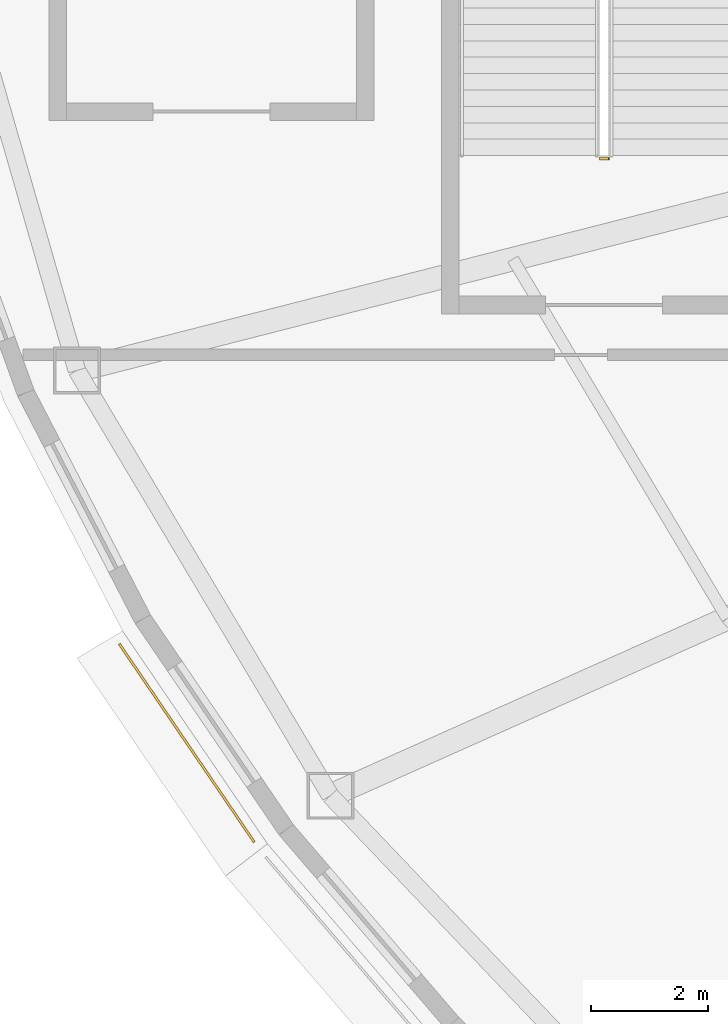
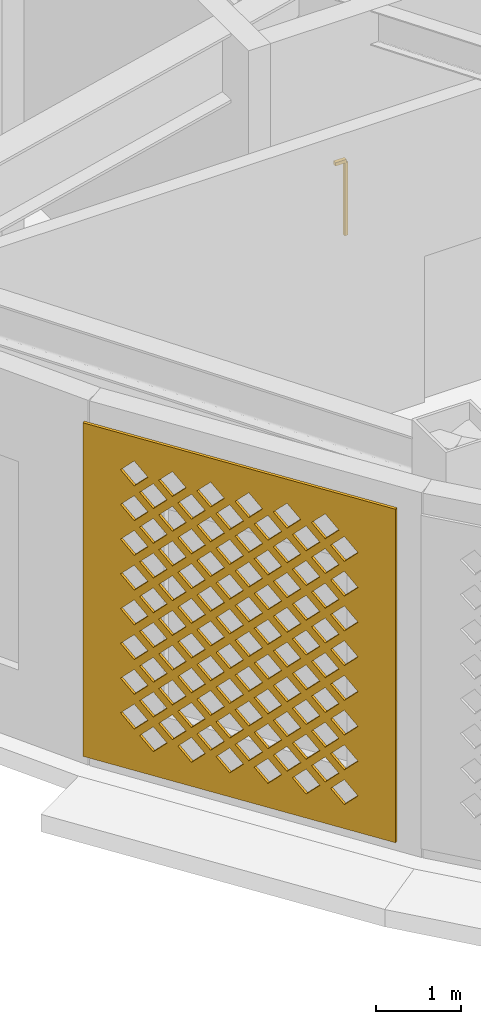
# One storey, part 37 of 69: 1 covering, 1 railing.
"""IFC4 building model written with IfcOpenShell, lengths in metres."""

import ifcopenshell
import ifcopenshell.guid

model = None  # the IFC model being written
_history = None  # IfcOwnerHistory: only IFC2X3 demands one
_inside = {}  # id of a spatial element -> (the spatial element, [elements in it])
_under = {}  # id of a project, library or spatial element -> (it, [spatial elements below it])
_declared = {}  # id of a project -> (the project, [libraries it declares])
_typed = {}  # id of a type object -> (the type object, [elements of that type])
_made_of = {}  # id of a material, layer set ... -> (it, [elements and type objects made of it])


def new_model(schema):
    """Start an empty IFC model of exactly this schema.

    Asked for "IFC4X3", IfcOpenShell would pick the latest addendum, in which some entities
    have other attributes; the version numbers below select the first issue.
    IFC2X3 requires an IfcOwnerHistory on every rooted entity: one is made here for all.
    """
    global model, _history
    if schema == "IFC4X3":
        model = ifcopenshell.file(schema_version=(4, 3, 0, 0))
    else:
        model = ifcopenshell.file(schema=schema)
    _inside.clear()
    _under.clear()
    _declared.clear()
    _typed.clear()
    _made_of.clear()
    _history = None
    if model.schema == "IFC2X3":
        org = make("IfcOrganization", Name="unknown")
        user = make(
            "IfcPersonAndOrganization",
            ThePerson=make("IfcPerson", FamilyName="unknown"),
            TheOrganization=org,
        )
        app = make(
            "IfcApplication",
            ApplicationDeveloper=org,
            Version="unknown",
            ApplicationFullName="unknown",
            ApplicationIdentifier="unknown",
        )
        _history = make(
            "IfcOwnerHistory",
            OwningUser=user,
            OwningApplication=app,
            ChangeAction="ADDED",
            CreationDate=0,
        )
    return model


def make(cls, **values):
    """One entity of the class cls with the attributes given. An attribute that is None is left unset."""
    return model.create_entity(
        cls, **{name: value for name, value in values.items() if value is not None}
    )


def rooted(cls, **values):
    """An entity with a GlobalId (a new one), such as an element, a storey or a relation."""
    return make(cls, GlobalId=ifcopenshell.guid.new(), OwnerHistory=_history, **values)


def si_unit(unit_type, name, prefix=None):
    """IfcSIUnit, for example si_unit("LENGTHUNIT", "METRE", prefix="MILLI")."""
    return make("IfcSIUnit", UnitType=unit_type, Prefix=prefix, Name=name)


def assignment(units):
    """IfcUnitAssignment: the units of a project."""
    return None if units is None else make("IfcUnitAssignment", Units=units)


def point(xyz):
    """IfcCartesianPoint."""
    return None if xyz is None else make("IfcCartesianPoint", Coordinates=xyz)


def direction(xyz):
    """IfcDirection."""
    return None if xyz is None else make("IfcDirection", DirectionRatios=xyz)


def frame(location, z_axis=None, x_axis=None):
    """IfcAxis2Placement3D, a coordinate frame: its origin and axes. An axis left out is left unset."""
    return make(
        "IfcAxis2Placement3D",
        Location=point(location),
        Axis=direction(z_axis),
        RefDirection=direction(x_axis),
    )


def frame_2d(location, x_axis=None):
    """IfcAxis2Placement2D, a coordinate frame in the plane: its origin and x axis."""
    return make(
        "IfcAxis2Placement2D", Location=point(location), RefDirection=direction(x_axis)
    )


def origin():
    """The frame at (0, 0, 0) with its axes left unset."""
    return frame((0.0, 0.0, 0.0))


def origin_2d():
    """The frame at (0, 0) in the plane with its x axis left unset."""
    return frame_2d((0.0, 0.0))


def place(relative_to, where):
    """IfcLocalPlacement: puts the frame where relative to a parent placement (None: the world)."""
    return make(
        "IfcLocalPlacement", PlacementRelTo=relative_to, RelativePlacement=where
    )


def context(
    kind, dimensions, precision=None, world=None, true_north=None, identifier=None
):
    """IfcGeometricRepresentationContext, for example the 3D "Model" context."""
    return make(
        "IfcGeometricRepresentationContext",
        ContextIdentifier=identifier,
        ContextType=kind,
        CoordinateSpaceDimension=dimensions,
        Precision=precision,
        WorldCoordinateSystem=world,
        TrueNorth=true_north,
    )


def subcontext(parent, identifier, kind, view, scale=None):
    """IfcGeometricRepresentationSubContext, for example "Body" below "Model"."""
    return make(
        "IfcGeometricRepresentationSubContext",
        ContextIdentifier=identifier,
        ContextType=kind,
        ParentContext=parent,
        TargetScale=scale,
        TargetView=view,
    )


def project(units=None, contexts=None):
    """IfcProject with its units and contexts."""
    return rooted(
        "IfcProject",
        Name="project",
        RepresentationContexts=contexts,
        UnitsInContext=assignment(units),
    )


def spatial(cls, under=None, at=None, **own):
    """A site, building, storey or space (cls), placed at a placement, below another one or the project."""
    s = rooted(cls, ObjectPlacement=at, **own)
    if under is not None:
        _under.setdefault(under.id(), (under, []))[1].append(s)
    return s


def polyline(points):
    """IfcPolyline through the points."""
    return make("IfcPolyline", Points=[point(p) for p in points])


def profile(cls, at=None, kind="AREA", **sizes):
    """A parametric profile (cls). Its sizes go by their IFC names, for example OverallWidth=200.0."""
    return make(cls, ProfileType=kind, Position=at, **sizes)


def rectangle(**sizes):
    """IfcRectangleProfileDef."""
    return profile("IfcRectangleProfileDef", **sizes)


def outline(outer, holes=None, kind="AREA"):
    """IfcArbitraryClosedProfileDef: a profile drawn as a closed curve; with holes, ...WithVoids."""
    if holes is None:
        return make("IfcArbitraryClosedProfileDef", ProfileType=kind, OuterCurve=outer)
    return make(
        "IfcArbitraryProfileDefWithVoids",
        ProfileType=kind,
        OuterCurve=outer,
        InnerCurves=holes,
    )


def extrude(swept, where, along, depth):
    """IfcExtrudedAreaSolid: the profile swept, set in the frame where, extruded along a direction by depth."""
    return make(
        "IfcExtrudedAreaSolid",
        SweptArea=swept,
        Position=where,
        ExtrudedDirection=direction(along),
        Depth=depth,
    )


def shape(context_of_items, identifier, shape_type, items):
    """IfcShapeRepresentation: the items that make up one representation, for example the "Body"."""
    return make(
        "IfcShapeRepresentation",
        ContextOfItems=context_of_items,
        RepresentationIdentifier=identifier,
        RepresentationType=shape_type,
        Items=items,
    )


def material(Name=None, Category=None):
    """IfcMaterial."""
    return make("IfcMaterial", Name=Name, Category=Category)


def layer(
    of_material, thickness, ventilated=None, Name=None, Category=None, Priority=None
):
    """IfcMaterialLayer: one layer of a wall or slab, of a material (None: an air gap)."""
    return make(
        "IfcMaterialLayer",
        Material=of_material,
        LayerThickness=thickness,
        IsVentilated=ventilated,
        Name=Name,
        Category=Category,
        Priority=Priority,
    )


def layer_set(layers, Name=None):
    """IfcMaterialLayerSet."""
    return make("IfcMaterialLayerSet", MaterialLayers=layers, LayerSetName=Name)


def made_of(thing, what):
    """Note that an element or type object is made of a material, layer set ...; save() writes the relation."""
    if what is not None:
        _made_of.setdefault(what.id(), (what, []))[1].append(thing)
    return thing


def type_object(cls, material=None, **own):
    """A type object (cls), such as IfcWallType, which elements share."""
    return made_of(rooted(cls, **own), material)


def element(
    cls,
    number,
    at=None,
    inside=None,
    cuts=None,
    type_object=None,
    material=None,
    context=None,
    identifier="Body",
    shape_type=None,
    held_by="IfcProductDefinitionShape",
    body=None,
    shapes=None,
    **own,
):
    """One element of the class cls, such as IfcWall. Its Tag is "e" and its number.

    at: its placement. inside: the storey or other place that contains it. cuts: it is an
    opening in that element (IfcRelVoidsElement). A single representation is given by context,
    identifier, shape_type and body (its items); several are given by shapes. held_by: the class
    of the entity that holds the representations. save() writes the other relations.
    """
    e = rooted(cls, Tag="e%d" % number, ObjectPlacement=at, **own)
    if body is not None:
        shapes = [shape(context, identifier, shape_type, body)]
    if shapes is not None:
        e.Representation = make(held_by, Representations=shapes)
    if inside is not None:
        _inside.setdefault(inside.id(), (inside, []))[1].append(e)
    if cuts is not None:
        rooted(
            "IfcRelVoidsElement", RelatingBuildingElement=cuts, RelatedOpeningElement=e
        )
    if type_object is not None:
        _typed.setdefault(type_object.id(), (type_object, []))[1].append(e)
    return made_of(e, material)


def aggregate(whole, parts):
    """IfcRelAggregates: a whole, such as a stair, and the parts it consists of."""
    return rooted("IfcRelAggregates", RelatingObject=whole, RelatedObjects=parts)


def save(model, path):
    """Write the relations noted so far, then the file.

    IfcRelAggregates (storeys below a building ...), IfcRelContainedInSpatialStructure (elements
    in a storey), IfcRelDefinesByType, IfcRelAssociatesMaterial and IfcRelDeclares: one each for
    every whole, place, type object, material and project.
    """
    for whole, parts in _under.values():
        aggregate(whole, parts)
    for where, things in _inside.values():
        rooted(
            "IfcRelContainedInSpatialStructure",
            RelatedElements=things,
            RelatingStructure=where,
        )
    for kind, things in _typed.values():
        rooted("IfcRelDefinesByType", RelatedObjects=things, RelatingType=kind)
    for what, things in _made_of.values():
        rooted("IfcRelAssociatesMaterial", RelatedObjects=things, RelatingMaterial=what)
    for by, libraries in _declared.values():
        rooted("IfcRelDeclares", RelatingContext=by, RelatedDefinitions=libraries)
    model.write(path)


model = new_model("IFC4")

# Units and contexts
model_context = context("Model", 3, precision=1e-05, world=origin(), true_north=direction((0.0, 1.0)))
body_context = subcontext(model_context, "Body", "Model", "MODEL_VIEW")
ifc_project = project(units=[si_unit("LENGTHUNIT", "METRE"), si_unit("AREAUNIT", "SQUARE_METRE"), si_unit("VOLUMEUNIT", "CUBIC_METRE"), si_unit("PLANEANGLEUNIT", "RADIAN"), si_unit("MASSUNIT", "GRAM", prefix="KILO")], contexts=[model_context])

# Site, building, storey
site_placement = place(None, origin())
site = spatial("IfcSite", under=ifc_project, at=site_placement, CompositionType="ELEMENT")
building_placement = place(site_placement, origin())
building = spatial("IfcBuilding", under=site, at=building_placement, Name="Noorbagh Ring Tower", CompositionType="ELEMENT")
storey_placement = place(building_placement, frame((0.0, 0.0, 19.5)))
storey = spatial("IfcBuildingStorey", under=building, at=storey_placement, Name="L03", CompositionType="ELEMENT", Elevation=19.5)

# Railing
ifc_material_1 = material(Name="Stainless steel", Category="steel")
railing_type = type_object("IfcRailingType", Name="GND-STAIR-GUARD", PredefinedType="GUARDRAIL", material=ifc_material_1)
railing_placement = place(storey_placement, frame((-38.949951171875, -8.64990234375, 0.0)))
element("IfcRailing", 1, at=railing_placement, inside=storey, type_object=railing_type, Name="L03 ST-P1 stair guard", PredefinedType="GUARDRAIL", context=body_context, shape_type="SweptSolid", body=[
    extrude(rectangle(XDim=0.048095703125, YDim=0.048095703125, at=origin_2d()), frame((0.0, 0.0, 1.076171875), z_axis=(-1.0, 0.0, 0.0), x_axis=(0.0, -1.0, 0.0)), (0.0, 0.0, 1.0), 0.150146484375),
    extrude(rectangle(XDim=0.0419921875, YDim=0.0419921875, at=origin_2d()), origin(), (0.0, 0.0, 1.0), 1.052001953125),
])

# Covering
ifc_material_2 = material(Name="Red sandstone jali", Category="masonry")
ifc_layer = layer(ifc_material_2, 0.0400390625)
ifc_layer_set = layer_set([ifc_layer], Name="Red sandstone jali")
covering_type = type_object("IfcCoveringType", Name="STY-JALI", PredefinedType="USERDEFINED", material=ifc_layer_set)
covering_placement = place(storey_placement, frame((-47.31591796875, -16.9443359375, 0.449951171875), z_axis=(-0.826637007867, -0.562735512675, 0.0), x_axis=(0.562735512675, -0.826637007867, 0.0)))
element("IfcCovering", 2, at=covering_placement, inside=storey, type_object=covering_type, Name="Jali screen", ObjectType="SCREEN", PredefinedType="USERDEFINED", context=body_context, shape_type="SweptSolid", body=[
    extrude(outline(polyline([(0.0, 0.0), (4.095458984375, 0.0), (4.095458984375, 4.800048828125), (0.0, 4.800048828125), (0.0, 0.0)]), holes=[polyline([(0.74267578125, 0.52490234375), (0.922607421875, 0.344970703125), (1.102783203125, 0.52490234375), (0.922607421875, 0.705078125), (0.74267578125, 0.52490234375)]), polyline([(1.24267578125, 0.52490234375), (1.422607421875, 0.344970703125), (1.602783203125, 0.52490234375), (1.422607421875, 0.705078125), (1.24267578125, 0.52490234375)]), polyline([(1.74267578125, 0.52490234375), (1.922607421875, 0.344970703125), (2.102783203125, 0.52490234375), (1.922607421875, 0.705078125), (1.74267578125, 0.52490234375)]), polyline([(2.24267578125, 0.52490234375), (2.422607421875, 0.344970703125), (2.602783203125, 0.52490234375), (2.422607421875, 0.705078125), (2.24267578125, 0.52490234375)]), polyline([(2.74267578125, 0.52490234375), (2.922607421875, 0.344970703125), (3.102783203125, 0.52490234375), (2.922607421875, 0.705078125), (2.74267578125, 0.52490234375)]), polyline([(3.24267578125, 0.52490234375), (3.422607421875, 0.344970703125), (3.602783203125, 0.52490234375), (3.422607421875, 0.705078125), (3.24267578125, 0.52490234375)]), polyline([(0.49267578125, 0.77490234375), (0.672607421875, 0.594970703125), (0.852783203125, 0.77490234375), (0.672607421875, 0.955078125), (0.49267578125, 0.77490234375)]), polyline([(0.99267578125, 0.77490234375), (1.172607421875, 0.594970703125), (1.352783203125, 0.77490234375), (1.172607421875, 0.955078125), (0.99267578125, 0.77490234375)]), polyline([(1.49267578125, 0.77490234375), (1.672607421875, 0.594970703125), (1.852783203125, 0.77490234375), (1.672607421875, 0.955078125), (1.49267578125, 0.77490234375)]), polyline([(1.99267578125, 0.77490234375), (2.172607421875, 0.594970703125), (2.352783203125, 0.77490234375), (2.172607421875, 0.955078125), (1.99267578125, 0.77490234375)]), polyline([(2.49267578125, 0.77490234375), (2.672607421875, 0.594970703125), (2.852783203125, 0.77490234375), (2.672607421875, 0.955078125), (2.49267578125, 0.77490234375)]), polyline([(2.99267578125, 0.77490234375), (3.172607421875, 0.594970703125), (3.352783203125, 0.77490234375), (3.172607421875, 0.955078125), (2.99267578125, 0.77490234375)]), polyline([(0.74267578125, 1.02490234375), (0.922607421875, 0.844970703125), (1.102783203125, 1.02490234375), (0.922607421875, 1.205078125), (0.74267578125, 1.02490234375)]), polyline([(1.24267578125, 1.02490234375), (1.422607421875, 0.844970703125), (1.602783203125, 1.02490234375), (1.422607421875, 1.205078125), (1.24267578125, 1.02490234375)]), polyline([(1.74267578125, 1.02490234375), (1.922607421875, 0.844970703125), (2.102783203125, 1.02490234375), (1.922607421875, 1.205078125), (1.74267578125, 1.02490234375)]), polyline([(2.24267578125, 1.02490234375), (2.422607421875, 0.844970703125), (2.602783203125, 1.02490234375), (2.422607421875, 1.205078125), (2.24267578125, 1.02490234375)]), polyline([(2.74267578125, 1.02490234375), (2.922607421875, 0.844970703125), (3.102783203125, 1.02490234375), (2.922607421875, 1.205078125), (2.74267578125, 1.02490234375)]), polyline([(3.24267578125, 1.02490234375), (3.422607421875, 0.844970703125), (3.602783203125, 1.02490234375), (3.422607421875, 1.205078125), (3.24267578125, 1.02490234375)]), polyline([(0.49267578125, 1.27490234375), (0.672607421875, 1.094970703125), (0.852783203125, 1.27490234375), (0.672607421875, 1.455078125), (0.49267578125, 1.27490234375)]), polyline([(0.99267578125, 1.27490234375), (1.172607421875, 1.094970703125), (1.352783203125, 1.27490234375), (1.172607421875, 1.455078125), (0.99267578125, 1.27490234375)]), polyline([(1.49267578125, 1.27490234375), (1.672607421875, 1.094970703125), (1.852783203125, 1.27490234375), (1.672607421875, 1.455078125), (1.49267578125, 1.27490234375)]), polyline([(1.99267578125, 1.27490234375), (2.172607421875, 1.094970703125), (2.352783203125, 1.27490234375), (2.172607421875, 1.455078125), (1.99267578125, 1.27490234375)]), polyline([(2.49267578125, 1.27490234375), (2.672607421875, 1.094970703125), (2.852783203125, 1.27490234375), (2.672607421875, 1.455078125), (2.49267578125, 1.27490234375)]), polyline([(2.99267578125, 1.27490234375), (3.172607421875, 1.094970703125), (3.352783203125, 1.27490234375), (3.172607421875, 1.455078125), (2.99267578125, 1.27490234375)]), polyline([(0.74267578125, 1.52490234375), (0.922607421875, 1.344970703125), (1.102783203125, 1.52490234375), (0.922607421875, 1.705078125), (0.74267578125, 1.52490234375)]), polyline([(1.24267578125, 1.52490234375), (1.422607421875, 1.344970703125), (1.602783203125, 1.52490234375), (1.422607421875, 1.705078125), (1.24267578125, 1.52490234375)]), polyline([(1.74267578125, 1.52490234375), (1.922607421875, 1.344970703125), (2.102783203125, 1.52490234375), (1.922607421875, 1.705078125), (1.74267578125, 1.52490234375)]), polyline([(2.24267578125, 1.52490234375), (2.422607421875, 1.344970703125), (2.602783203125, 1.52490234375), (2.422607421875, 1.705078125), (2.24267578125, 1.52490234375)]), polyline([(2.74267578125, 1.52490234375), (2.922607421875, 1.344970703125), (3.102783203125, 1.52490234375), (2.922607421875, 1.705078125), (2.74267578125, 1.52490234375)]), polyline([(3.24267578125, 1.52490234375), (3.422607421875, 1.344970703125), (3.602783203125, 1.52490234375), (3.422607421875, 1.705078125), (3.24267578125, 1.52490234375)]), polyline([(0.49267578125, 1.77490234375), (0.672607421875, 1.594970703125), (0.852783203125, 1.77490234375), (0.672607421875, 1.955078125), (0.49267578125, 1.77490234375)]), polyline([(0.99267578125, 1.77490234375), (1.172607421875, 1.594970703125), (1.352783203125, 1.77490234375), (1.172607421875, 1.955078125), (0.99267578125, 1.77490234375)]), polyline([(1.49267578125, 1.77490234375), (1.672607421875, 1.594970703125), (1.852783203125, 1.77490234375), (1.672607421875, 1.955078125), (1.49267578125, 1.77490234375)]), polyline([(1.99267578125, 1.77490234375), (2.172607421875, 1.594970703125), (2.352783203125, 1.77490234375), (2.172607421875, 1.955078125), (1.99267578125, 1.77490234375)]), polyline([(2.49267578125, 1.77490234375), (2.672607421875, 1.594970703125), (2.852783203125, 1.77490234375), (2.672607421875, 1.955078125), (2.49267578125, 1.77490234375)]), polyline([(2.99267578125, 1.77490234375), (3.172607421875, 1.594970703125), (3.352783203125, 1.77490234375), (3.172607421875, 1.955078125), (2.99267578125, 1.77490234375)]), polyline([(0.74267578125, 2.02490234375), (0.922607421875, 1.844970703125), (1.102783203125, 2.02490234375), (0.922607421875, 2.205078125), (0.74267578125, 2.02490234375)]), polyline([(1.24267578125, 2.02490234375), (1.422607421875, 1.844970703125), (1.602783203125, 2.02490234375), (1.422607421875, 2.205078125), (1.24267578125, 2.02490234375)]), polyline([(1.74267578125, 2.02490234375), (1.922607421875, 1.844970703125), (2.102783203125, 2.02490234375), (1.922607421875, 2.205078125), (1.74267578125, 2.02490234375)]), polyline([(2.24267578125, 2.02490234375), (2.422607421875, 1.844970703125), (2.602783203125, 2.02490234375), (2.422607421875, 2.205078125), (2.24267578125, 2.02490234375)]), polyline([(2.74267578125, 2.02490234375), (2.922607421875, 1.844970703125), (3.102783203125, 2.02490234375), (2.922607421875, 2.205078125), (2.74267578125, 2.02490234375)]), polyline([(3.24267578125, 2.02490234375), (3.422607421875, 1.844970703125), (3.602783203125, 2.02490234375), (3.422607421875, 2.205078125), (3.24267578125, 2.02490234375)]), polyline([(0.49267578125, 2.27490234375), (0.672607421875, 2.094970703125), (0.852783203125, 2.27490234375), (0.672607421875, 2.455078125), (0.49267578125, 2.27490234375)]), polyline([(0.99267578125, 2.27490234375), (1.172607421875, 2.094970703125), (1.352783203125, 2.27490234375), (1.172607421875, 2.455078125), (0.99267578125, 2.27490234375)]), polyline([(1.49267578125, 2.27490234375), (1.672607421875, 2.094970703125), (1.852783203125, 2.27490234375), (1.672607421875, 2.455078125), (1.49267578125, 2.27490234375)]), polyline([(1.99267578125, 2.27490234375), (2.172607421875, 2.094970703125), (2.352783203125, 2.27490234375), (2.172607421875, 2.455078125), (1.99267578125, 2.27490234375)]), polyline([(2.49267578125, 2.27490234375), (2.672607421875, 2.094970703125), (2.852783203125, 2.27490234375), (2.672607421875, 2.455078125), (2.49267578125, 2.27490234375)]), polyline([(2.99267578125, 2.27490234375), (3.172607421875, 2.094970703125), (3.352783203125, 2.27490234375), (3.172607421875, 2.455078125), (2.99267578125, 2.27490234375)]), polyline([(0.74267578125, 2.52490234375), (0.922607421875, 2.344970703125), (1.102783203125, 2.52490234375), (0.922607421875, 2.705078125), (0.74267578125, 2.52490234375)]), polyline([(1.24267578125, 2.52490234375), (1.422607421875, 2.344970703125), (1.602783203125, 2.52490234375), (1.422607421875, 2.705078125), (1.24267578125, 2.52490234375)]), polyline([(1.74267578125, 2.52490234375), (1.922607421875, 2.344970703125), (2.102783203125, 2.52490234375), (1.922607421875, 2.705078125), (1.74267578125, 2.52490234375)]), polyline([(2.24267578125, 2.52490234375), (2.422607421875, 2.344970703125), (2.602783203125, 2.52490234375), (2.422607421875, 2.705078125), (2.24267578125, 2.52490234375)]), polyline([(2.74267578125, 2.52490234375), (2.922607421875, 2.344970703125), (3.102783203125, 2.52490234375), (2.922607421875, 2.705078125), (2.74267578125, 2.52490234375)]), polyline([(3.24267578125, 2.52490234375), (3.422607421875, 2.344970703125), (3.602783203125, 2.52490234375), (3.422607421875, 2.705078125), (3.24267578125, 2.52490234375)]), polyline([(0.49267578125, 2.77490234375), (0.672607421875, 2.594970703125), (0.852783203125, 2.77490234375), (0.672607421875, 2.955078125), (0.49267578125, 2.77490234375)]), polyline([(0.99267578125, 2.77490234375), (1.172607421875, 2.594970703125), (1.352783203125, 2.77490234375), (1.172607421875, 2.955078125), (0.99267578125, 2.77490234375)]), polyline([(1.49267578125, 2.77490234375), (1.672607421875, 2.594970703125), (1.852783203125, 2.77490234375), (1.672607421875, 2.955078125), (1.49267578125, 2.77490234375)]), polyline([(1.99267578125, 2.77490234375), (2.172607421875, 2.594970703125), (2.352783203125, 2.77490234375), (2.172607421875, 2.955078125), (1.99267578125, 2.77490234375)]), polyline([(2.49267578125, 2.77490234375), (2.672607421875, 2.594970703125), (2.852783203125, 2.77490234375), (2.672607421875, 2.955078125), (2.49267578125, 2.77490234375)]), polyline([(2.99267578125, 2.77490234375), (3.172607421875, 2.594970703125), (3.352783203125, 2.77490234375), (3.172607421875, 2.955078125), (2.99267578125, 2.77490234375)]), polyline([(0.74267578125, 3.02490234375), (0.922607421875, 2.844970703125), (1.102783203125, 3.02490234375), (0.922607421875, 3.205078125), (0.74267578125, 3.02490234375)]), polyline([(1.24267578125, 3.02490234375), (1.422607421875, 2.844970703125), (1.602783203125, 3.02490234375), (1.422607421875, 3.205078125), (1.24267578125, 3.02490234375)]), polyline([(1.74267578125, 3.02490234375), (1.922607421875, 2.844970703125), (2.102783203125, 3.02490234375), (1.922607421875, 3.205078125), (1.74267578125, 3.02490234375)]), polyline([(2.24267578125, 3.02490234375), (2.422607421875, 2.844970703125), (2.602783203125, 3.02490234375), (2.422607421875, 3.205078125), (2.24267578125, 3.02490234375)]), polyline([(2.74267578125, 3.02490234375), (2.922607421875, 2.844970703125), (3.102783203125, 3.02490234375), (2.922607421875, 3.205078125), (2.74267578125, 3.02490234375)]), polyline([(3.24267578125, 3.02490234375), (3.422607421875, 2.844970703125), (3.602783203125, 3.02490234375), (3.422607421875, 3.205078125), (3.24267578125, 3.02490234375)]), polyline([(0.49267578125, 3.27490234375), (0.672607421875, 3.094970703125), (0.852783203125, 3.27490234375), (0.672607421875, 3.455078125), (0.49267578125, 3.27490234375)]), polyline([(0.99267578125, 3.27490234375), (1.172607421875, 3.094970703125), (1.352783203125, 3.27490234375), (1.172607421875, 3.455078125), (0.99267578125, 3.27490234375)]), polyline([(1.49267578125, 3.27490234375), (1.672607421875, 3.094970703125), (1.852783203125, 3.27490234375), (1.672607421875, 3.455078125), (1.49267578125, 3.27490234375)]), polyline([(1.99267578125, 3.27490234375), (2.172607421875, 3.094970703125), (2.352783203125, 3.27490234375), (2.172607421875, 3.455078125), (1.99267578125, 3.27490234375)]), polyline([(2.49267578125, 3.27490234375), (2.672607421875, 3.094970703125), (2.852783203125, 3.27490234375), (2.672607421875, 3.455078125), (2.49267578125, 3.27490234375)]), polyline([(2.99267578125, 3.27490234375), (3.172607421875, 3.094970703125), (3.352783203125, 3.27490234375), (3.172607421875, 3.455078125), (2.99267578125, 3.27490234375)]), polyline([(0.74267578125, 3.52490234375), (0.922607421875, 3.344970703125), (1.102783203125, 3.52490234375), (0.922607421875, 3.705078125), (0.74267578125, 3.52490234375)]), polyline([(1.24267578125, 3.52490234375), (1.422607421875, 3.344970703125), (1.602783203125, 3.52490234375), (1.422607421875, 3.705078125), (1.24267578125, 3.52490234375)]), polyline([(1.74267578125, 3.52490234375), (1.922607421875, 3.344970703125), (2.102783203125, 3.52490234375), (1.922607421875, 3.705078125), (1.74267578125, 3.52490234375)]), polyline([(2.24267578125, 3.52490234375), (2.422607421875, 3.344970703125), (2.602783203125, 3.52490234375), (2.422607421875, 3.705078125), (2.24267578125, 3.52490234375)]), polyline([(2.74267578125, 3.52490234375), (2.922607421875, 3.344970703125), (3.102783203125, 3.52490234375), (2.922607421875, 3.705078125), (2.74267578125, 3.52490234375)]), polyline([(3.24267578125, 3.52490234375), (3.422607421875, 3.344970703125), (3.602783203125, 3.52490234375), (3.422607421875, 3.705078125), (3.24267578125, 3.52490234375)]), polyline([(0.49267578125, 3.77490234375), (0.672607421875, 3.594970703125), (0.852783203125, 3.77490234375), (0.672607421875, 3.955078125), (0.49267578125, 3.77490234375)]), polyline([(0.99267578125, 3.77490234375), (1.172607421875, 3.594970703125), (1.352783203125, 3.77490234375), (1.172607421875, 3.955078125), (0.99267578125, 3.77490234375)]), polyline([(1.49267578125, 3.77490234375), (1.672607421875, 3.594970703125), (1.852783203125, 3.77490234375), (1.672607421875, 3.955078125), (1.49267578125, 3.77490234375)]), polyline([(1.99267578125, 3.77490234375), (2.172607421875, 3.594970703125), (2.352783203125, 3.77490234375), (2.172607421875, 3.955078125), (1.99267578125, 3.77490234375)]), polyline([(2.49267578125, 3.77490234375), (2.672607421875, 3.594970703125), (2.852783203125, 3.77490234375), (2.672607421875, 3.955078125), (2.49267578125, 3.77490234375)]), polyline([(2.99267578125, 3.77490234375), (3.172607421875, 3.594970703125), (3.352783203125, 3.77490234375), (3.172607421875, 3.955078125), (2.99267578125, 3.77490234375)]), polyline([(0.74267578125, 4.02490234375), (0.922607421875, 3.844970703125), (1.102783203125, 4.02490234375), (0.922607421875, 4.205078125), (0.74267578125, 4.02490234375)]), polyline([(1.24267578125, 4.02490234375), (1.422607421875, 3.844970703125), (1.602783203125, 4.02490234375), (1.422607421875, 4.205078125), (1.24267578125, 4.02490234375)]), polyline([(1.74267578125, 4.02490234375), (1.922607421875, 3.844970703125), (2.102783203125, 4.02490234375), (1.922607421875, 4.205078125), (1.74267578125, 4.02490234375)]), polyline([(2.24267578125, 4.02490234375), (2.422607421875, 3.844970703125), (2.602783203125, 4.02490234375), (2.422607421875, 4.205078125), (2.24267578125, 4.02490234375)]), polyline([(2.74267578125, 4.02490234375), (2.922607421875, 3.844970703125), (3.102783203125, 4.02490234375), (2.922607421875, 4.205078125), (2.74267578125, 4.02490234375)]), polyline([(3.24267578125, 4.02490234375), (3.422607421875, 3.844970703125), (3.602783203125, 4.02490234375), (3.422607421875, 4.205078125), (3.24267578125, 4.02490234375)]), polyline([(0.49267578125, 4.27490234375), (0.672607421875, 4.094970703125), (0.852783203125, 4.27490234375), (0.672607421875, 4.455078125), (0.49267578125, 4.27490234375)]), polyline([(0.99267578125, 4.27490234375), (1.172607421875, 4.094970703125), (1.352783203125, 4.27490234375), (1.172607421875, 4.455078125), (0.99267578125, 4.27490234375)]), polyline([(1.49267578125, 4.27490234375), (1.672607421875, 4.094970703125), (1.852783203125, 4.27490234375), (1.672607421875, 4.455078125), (1.49267578125, 4.27490234375)]), polyline([(1.99267578125, 4.27490234375), (2.172607421875, 4.094970703125), (2.352783203125, 4.27490234375), (2.172607421875, 4.455078125), (1.99267578125, 4.27490234375)]), polyline([(2.49267578125, 4.27490234375), (2.672607421875, 4.094970703125), (2.852783203125, 4.27490234375), (2.672607421875, 4.455078125), (2.49267578125, 4.27490234375)]), polyline([(2.99267578125, 4.27490234375), (3.172607421875, 4.094970703125), (3.352783203125, 4.27490234375), (3.172607421875, 4.455078125), (2.99267578125, 4.27490234375)])]), origin(), (0.0, 0.0, -1.0), 0.0400390625),
])

save(model, "model.ifc")
